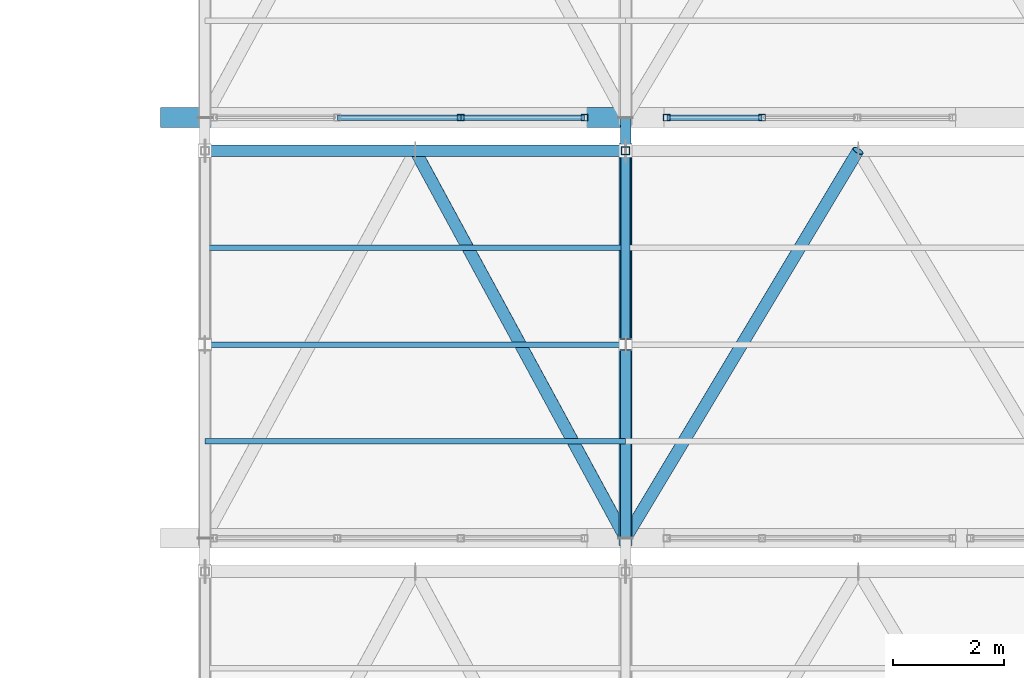
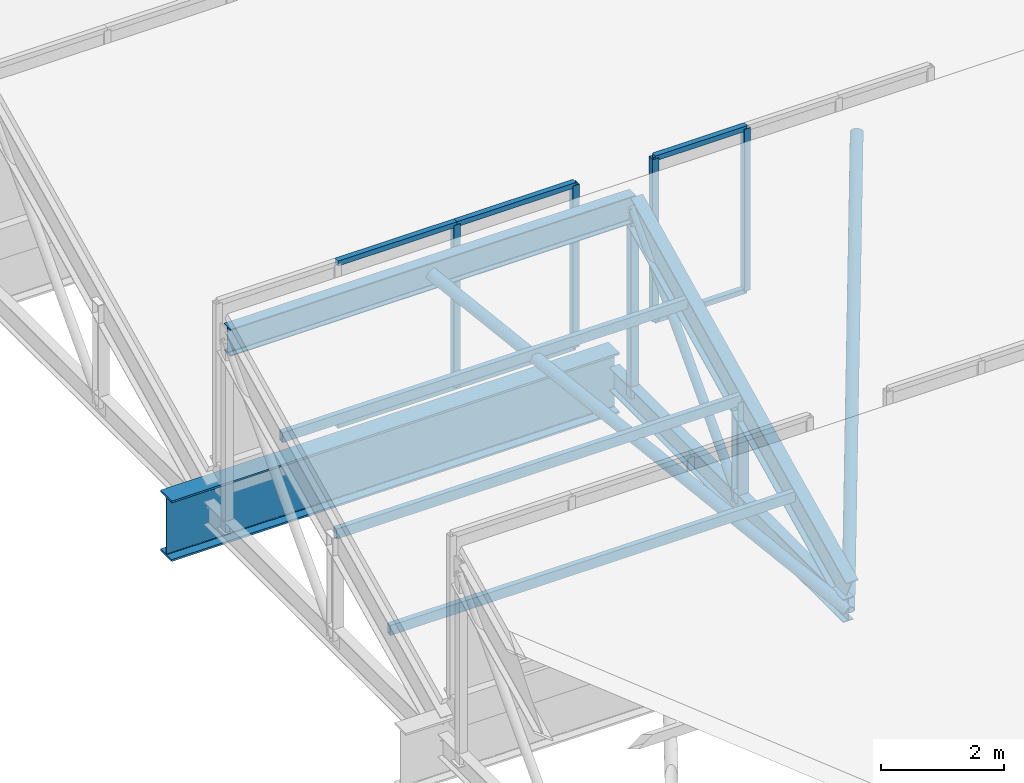
# One storey, part 14 of 57: 21 members, 1 beam, 2 elements without a shape of their own.
"""IFC4 building model written with IfcOpenShell, lengths in metres."""

import ifcopenshell
import ifcopenshell.guid

model = None  # the IFC model being written
_history = None  # IfcOwnerHistory: only IFC2X3 demands one
_inside = {}  # id of a spatial element -> (the spatial element, [elements in it])
_under = {}  # id of a project, library or spatial element -> (it, [spatial elements below it])
_declared = {}  # id of a project -> (the project, [libraries it declares])
_typed = {}  # id of a type object -> (the type object, [elements of that type])
_made_of = {}  # id of a material, layer set ... -> (it, [elements and type objects made of it])


def new_model(schema):
    """Start an empty IFC model of exactly this schema.

    Asked for "IFC4X3", IfcOpenShell would pick the latest addendum, in which some entities
    have other attributes; the version numbers below select the first issue.
    IFC2X3 requires an IfcOwnerHistory on every rooted entity: one is made here for all.
    """
    global model, _history
    if schema == "IFC4X3":
        model = ifcopenshell.file(schema_version=(4, 3, 0, 0))
    else:
        model = ifcopenshell.file(schema=schema)
    _inside.clear()
    _under.clear()
    _declared.clear()
    _typed.clear()
    _made_of.clear()
    _history = None
    if model.schema == "IFC2X3":
        org = make("IfcOrganization", Name="unknown")
        user = make(
            "IfcPersonAndOrganization",
            ThePerson=make("IfcPerson", FamilyName="unknown"),
            TheOrganization=org,
        )
        app = make(
            "IfcApplication",
            ApplicationDeveloper=org,
            Version="unknown",
            ApplicationFullName="unknown",
            ApplicationIdentifier="unknown",
        )
        _history = make(
            "IfcOwnerHistory",
            OwningUser=user,
            OwningApplication=app,
            ChangeAction="ADDED",
            CreationDate=0,
        )
    return model


def make(cls, **values):
    """One entity of the class cls with the attributes given. An attribute that is None is left unset."""
    return model.create_entity(
        cls, **{name: value for name, value in values.items() if value is not None}
    )


def rooted(cls, **values):
    """An entity with a GlobalId (a new one), such as an element, a storey or a relation."""
    return make(cls, GlobalId=ifcopenshell.guid.new(), OwnerHistory=_history, **values)


def si_unit(unit_type, name, prefix=None):
    """IfcSIUnit, for example si_unit("LENGTHUNIT", "METRE", prefix="MILLI")."""
    return make("IfcSIUnit", UnitType=unit_type, Prefix=prefix, Name=name)


def assignment(units):
    """IfcUnitAssignment: the units of a project."""
    return None if units is None else make("IfcUnitAssignment", Units=units)


def point(xyz):
    """IfcCartesianPoint."""
    return None if xyz is None else make("IfcCartesianPoint", Coordinates=xyz)


def direction(xyz):
    """IfcDirection."""
    return None if xyz is None else make("IfcDirection", DirectionRatios=xyz)


def frame(location, z_axis=None, x_axis=None):
    """IfcAxis2Placement3D, a coordinate frame: its origin and axes. An axis left out is left unset."""
    return make(
        "IfcAxis2Placement3D",
        Location=point(location),
        Axis=direction(z_axis),
        RefDirection=direction(x_axis),
    )


def frame_2d(location, x_axis=None):
    """IfcAxis2Placement2D, a coordinate frame in the plane: its origin and x axis."""
    return make(
        "IfcAxis2Placement2D", Location=point(location), RefDirection=direction(x_axis)
    )


def origin():
    """The frame at (0, 0, 0) with its axes left unset."""
    return frame((0.0, 0.0, 0.0))


def origin_2d():
    """The frame at (0, 0) in the plane with its x axis left unset."""
    return frame_2d((0.0, 0.0))


def place(relative_to, where):
    """IfcLocalPlacement: puts the frame where relative to a parent placement (None: the world)."""
    return make(
        "IfcLocalPlacement", PlacementRelTo=relative_to, RelativePlacement=where
    )


def context(
    kind, dimensions, precision=None, world=None, true_north=None, identifier=None
):
    """IfcGeometricRepresentationContext, for example the 3D "Model" context."""
    return make(
        "IfcGeometricRepresentationContext",
        ContextIdentifier=identifier,
        ContextType=kind,
        CoordinateSpaceDimension=dimensions,
        Precision=precision,
        WorldCoordinateSystem=world,
        TrueNorth=true_north,
    )


def subcontext(parent, identifier, kind, view, scale=None):
    """IfcGeometricRepresentationSubContext, for example "Body" below "Model"."""
    return make(
        "IfcGeometricRepresentationSubContext",
        ContextIdentifier=identifier,
        ContextType=kind,
        ParentContext=parent,
        TargetScale=scale,
        TargetView=view,
    )


def project(units=None, contexts=None):
    """IfcProject with its units and contexts."""
    return rooted(
        "IfcProject",
        Name="project",
        RepresentationContexts=contexts,
        UnitsInContext=assignment(units),
    )


def spatial(cls, under=None, at=None, **own):
    """A site, building, storey or space (cls), placed at a placement, below another one or the project."""
    s = rooted(cls, ObjectPlacement=at, **own)
    if under is not None:
        _under.setdefault(under.id(), (under, []))[1].append(s)
    return s


def profile(cls, at=None, kind="AREA", **sizes):
    """A parametric profile (cls). Its sizes go by their IFC names, for example OverallWidth=200.0."""
    return make(cls, ProfileType=kind, Position=at, **sizes)


def hollow_rectangle(**sizes):
    """IfcRectangleHollowProfileDef."""
    return profile("IfcRectangleHollowProfileDef", **sizes)


def hollow_circle(**sizes):
    """IfcCircleHollowProfileDef."""
    return profile("IfcCircleHollowProfileDef", **sizes)


def i_section(**sizes):
    """IfcIShapeProfileDef."""
    return profile("IfcIShapeProfileDef", **sizes)


def extrude(swept, where, along, depth):
    """IfcExtrudedAreaSolid: the profile swept, set in the frame where, extruded along a direction by depth."""
    return make(
        "IfcExtrudedAreaSolid",
        SweptArea=swept,
        Position=where,
        ExtrudedDirection=direction(along),
        Depth=depth,
    )


def shape(context_of_items, identifier, shape_type, items):
    """IfcShapeRepresentation: the items that make up one representation, for example the "Body"."""
    return make(
        "IfcShapeRepresentation",
        ContextOfItems=context_of_items,
        RepresentationIdentifier=identifier,
        RepresentationType=shape_type,
        Items=items,
    )


def material(Name=None, Category=None):
    """IfcMaterial."""
    return make("IfcMaterial", Name=Name, Category=Category)


def material_profile(
    of_material, cross_section, Name=None, Category=None, Priority=None
):
    """IfcMaterialProfile: a cross section and its material."""
    return make(
        "IfcMaterialProfile",
        Name=Name,
        Material=of_material,
        Profile=cross_section,
        Priority=Priority,
        Category=Category,
    )


def profile_set(profiles, Name=None, composite=None):
    """IfcMaterialProfileSet."""
    return make(
        "IfcMaterialProfileSet",
        Name=Name,
        MaterialProfiles=profiles,
        CompositeProfile=composite,
    )


def made_of(thing, what):
    """Note that an element or type object is made of a material, layer set ...; save() writes the relation."""
    if what is not None:
        _made_of.setdefault(what.id(), (what, []))[1].append(thing)
    return thing


def type_object(cls, material=None, **own):
    """A type object (cls), such as IfcWallType, which elements share."""
    return made_of(rooted(cls, **own), material)


def element(
    cls,
    number,
    at=None,
    inside=None,
    cuts=None,
    type_object=None,
    material=None,
    context=None,
    identifier="Body",
    shape_type=None,
    held_by="IfcProductDefinitionShape",
    body=None,
    shapes=None,
    **own,
):
    """One element of the class cls, such as IfcWall. Its Tag is "e" and its number.

    at: its placement. inside: the storey or other place that contains it. cuts: it is an
    opening in that element (IfcRelVoidsElement). A single representation is given by context,
    identifier, shape_type and body (its items); several are given by shapes. held_by: the class
    of the entity that holds the representations. save() writes the other relations.
    """
    e = rooted(cls, Tag="e%d" % number, ObjectPlacement=at, **own)
    if body is not None:
        shapes = [shape(context, identifier, shape_type, body)]
    if shapes is not None:
        e.Representation = make(held_by, Representations=shapes)
    if inside is not None:
        _inside.setdefault(inside.id(), (inside, []))[1].append(e)
    if cuts is not None:
        rooted(
            "IfcRelVoidsElement", RelatingBuildingElement=cuts, RelatedOpeningElement=e
        )
    if type_object is not None:
        _typed.setdefault(type_object.id(), (type_object, []))[1].append(e)
    return made_of(e, material)


def aggregate(whole, parts):
    """IfcRelAggregates: a whole, such as a stair, and the parts it consists of."""
    return rooted("IfcRelAggregates", RelatingObject=whole, RelatedObjects=parts)


def save(model, path):
    """Write the relations noted so far, then the file.

    IfcRelAggregates (storeys below a building ...), IfcRelContainedInSpatialStructure (elements
    in a storey), IfcRelDefinesByType, IfcRelAssociatesMaterial and IfcRelDeclares: one each for
    every whole, place, type object, material and project.
    """
    for whole, parts in _under.values():
        aggregate(whole, parts)
    for where, things in _inside.values():
        rooted(
            "IfcRelContainedInSpatialStructure",
            RelatedElements=things,
            RelatingStructure=where,
        )
    for kind, things in _typed.values():
        rooted("IfcRelDefinesByType", RelatedObjects=things, RelatingType=kind)
    for what, things in _made_of.values():
        rooted("IfcRelAssociatesMaterial", RelatedObjects=things, RelatingMaterial=what)
    for by, libraries in _declared.values():
        rooted("IfcRelDeclares", RelatingContext=by, RelatedDefinitions=libraries)
    model.write(path)


model = new_model("IFC4")

# Units and contexts
model_context = context("Model", 3, precision=1e-05, world=origin(), true_north=direction((0.0, 1.0)))
body_context = subcontext(model_context, "Body", "Model", "MODEL_VIEW")
ifc_project = project(units=[si_unit("LENGTHUNIT", "METRE"), si_unit("AREAUNIT", "SQUARE_METRE"), si_unit("VOLUMEUNIT", "CUBIC_METRE"), si_unit("PLANEANGLEUNIT", "RADIAN"), si_unit("MASSUNIT", "GRAM", prefix="KILO")], contexts=[model_context])

# Site, building, storey
site_placement = place(None, origin())
site = spatial("IfcSite", under=ifc_project, at=site_placement, CompositionType="ELEMENT")
building_placement = place(site_placement, origin())
building = spatial("IfcBuilding", under=site, at=building_placement, Name="Zuvorla Pavilion Media Centre", CompositionType="ELEMENT")
storey_placement = place(building_placement, frame((0.0, 0.0, 18.0)))
storey = spatial("IfcBuildingStorey", under=building, at=storey_placement, Name="L04", CompositionType="ELEMENT", Elevation=18.0)

# Beam
ifc_material_1 = material(Name="Steel S355", Category="steel")
ifc_material_profile_1 = material_profile(ifc_material_1, i_section(OverallWidth=0.360107421875, OverallDepth=1.199951171875, WebThickness=0.02001953125, FlangeThickness=0.0380859375, FilletRadius=0.02392578125, at=origin_2d()), Name="PG 1200x360x38")
ifc_profile_set_1 = profile_set([ifc_material_profile_1], Name="Steel S355")
beam_type = type_object("IfcBeamType", Name="BM-PG1200", PredefinedType="BEAM", material=ifc_profile_set_1)
beam_placement = place(storey_placement, frame((117.199951171875, 36.39990234375, -0.887939453125), z_axis=(1.0, 0.0, 0.0), x_axis=(0.0, 1.0, 0.0)))
element("IfcBeam", 1, at=beam_placement, inside=storey, type_object=beam_type, Name="L04 beam B01 1826", PredefinedType="BEAM", context=body_context, shape_type="SweptSolid", body=[
    extrude(i_section(OverallWidth=0.360107421875, OverallDepth=1.199951171875, WebThickness=0.02001953125, FlangeThickness=0.0380859375, FilletRadius=0.02392578125, at=origin_2d()), origin(), (0.0, 0.0, 1.0), 8.400146484375),
])

# Curtain wall, members
ifc_material_2 = material(Name="Unitised anodised aluminium and solar glass curtain wall", Category="aluminium")
curtain_wall_type_1 = type_object("IfcCurtainWallType", Name="CW-SYS-90", PredefinedType="USERDEFINED", material=ifc_material_2)
curtain_wall_1_placement = place(storey_placement, origin())
curtain_wall_1 = element("IfcCurtainWall", 2, at=curtain_wall_1_placement, inside=storey, type_object=curtain_wall_type_1, Name="L04 curtain wall CW90 240", ObjectType="CURTAIN WALL", PredefinedType="USERDEFINED")
ifc_material_3 = material(Name="Anodised aluminium 6063-T6", Category="aluminium")
ifc_material_profile_2 = material_profile(ifc_material_3, hollow_rectangle(XDim=0.1201171875, YDim=0.1201171875, WallThickness=0.0048828125, at=origin_2d()), Name="ALU MULL 120x120")
ifc_profile_set_2 = profile_set([ifc_material_profile_2], Name="Anodised aluminium 6063-T6")
member_type_1 = type_object("IfcMemberType", Name="CW-MULL-120", PredefinedType="MULLION", material=ifc_profile_set_2)
member_1_placement = place(storey_placement, frame((122.623779296875, 36.39990234375, 0.0), z_axis=(0.0, 0.0, 1.0), x_axis=(1.0, 0.0, 0.0)))
member_1 = element("IfcMember", 3, at=member_1_placement, type_object=member_type_1, Name="CW90 mullion 3", PredefinedType="MULLION", context=body_context, shape_type="SweptSolid", body=[
    extrude(hollow_rectangle(XDim=0.1201171875, YDim=0.1201171875, WallThickness=0.0048828125, at=origin_2d()), origin(), (0.0, 0.0, 1.0), 3.219970703125),
])
member_2_placement = place(storey_placement, frame((124.855712890625, 36.39990234375, 0.0), z_axis=(0.0, 0.0, 1.0), x_axis=(1.0, 0.0, 0.0)))
member_2 = element("IfcMember", 4, at=member_2_placement, type_object=member_type_1, Name="CW90 mullion 4", PredefinedType="MULLION", context=body_context, shape_type="SweptSolid", body=[
    extrude(hollow_rectangle(XDim=0.1201171875, YDim=0.1201171875, WallThickness=0.0048828125, at=origin_2d()), origin(), (0.0, 0.0, 1.0), 3.219970703125),
])

curtain_wall_type_2 = type_object("IfcCurtainWallType", Name="CW-SYS-91", PredefinedType="USERDEFINED", material=ifc_material_2)
curtain_wall_2_placement = place(storey_placement, origin())
curtain_wall_2 = element("IfcCurtainWall", 5, at=curtain_wall_2_placement, inside=storey, type_object=curtain_wall_type_2, Name="L04 curtain wall CW91 241", ObjectType="CURTAIN WALL", PredefinedType="USERDEFINED")
member_3_placement = place(storey_placement, frame((126.34423828125, 36.39990234375, 0.0), z_axis=(0.0, 0.0, 1.0), x_axis=(1.0, 0.0, 0.0)))
member_3 = element("IfcMember", 6, at=member_3_placement, type_object=member_type_1, Name="CW91 mullion 1", PredefinedType="MULLION", context=body_context, shape_type="SweptSolid", body=[
    extrude(hollow_rectangle(XDim=0.1201171875, YDim=0.1201171875, WallThickness=0.0048828125, at=origin_2d()), origin(), (0.0, 0.0, 1.0), 3.219970703125),
])
member_4_placement = place(storey_placement, frame((128.065185546875, 36.39990234375, 0.0), z_axis=(0.0, 0.0, 1.0), x_axis=(1.0, 0.0, 0.0)))
member_4 = element("IfcMember", 7, at=member_4_placement, type_object=member_type_1, Name="CW91 mullion 2", PredefinedType="MULLION", context=body_context, shape_type="SweptSolid", body=[
    extrude(hollow_rectangle(XDim=0.1201171875, YDim=0.1201171875, WallThickness=0.0048828125, at=origin_2d()), origin(), (0.0, 0.0, 1.0), 3.219970703125),
])

# Member
ifc_material_profile_3 = material_profile(ifc_material_3, hollow_rectangle(XDim=0.10009765625, YDim=0.10009765625, WallThickness=0.00439453125, at=origin_2d()), Name="ALU TRAN 100x100")
ifc_profile_set_3 = profile_set([ifc_material_profile_3], Name="Anodised aluminium 6063-T6")
member_type_2 = type_object("IfcMemberType", Name="CW-TRAN-100", PredefinedType="USERDEFINED", material=ifc_profile_set_3)
member_5_placement = place(storey_placement, frame((120.391845703125, 36.39990234375, 0.0), z_axis=(1.0, 0.0, 0.0), x_axis=(0.0, 1.0, 0.0)))
member_5 = element("IfcMember", 8, at=member_5_placement, type_object=member_type_2, Name="CW90 transom 2.1", ObjectType="TRANSOM", PredefinedType="USERDEFINED", context=body_context, shape_type="SweptSolid", body=[
    extrude(hollow_rectangle(XDim=0.10009765625, YDim=0.10009765625, WallThickness=0.00439453125, at=origin_2d()), origin(), (0.0, 0.0, 1.0), 2.23193359375),
])

member_6_placement = place(storey_placement, frame((120.391845703125, 36.39990234375, 3.219970703125), z_axis=(1.0, 0.0, 0.0), x_axis=(0.0, 1.0, 0.0)))
member_6 = element("IfcMember", 9, at=member_6_placement, type_object=member_type_2, Name="CW90 transom 2.2", ObjectType="TRANSOM", PredefinedType="USERDEFINED", context=body_context, shape_type="SweptSolid", body=[
    extrude(hollow_rectangle(XDim=0.10009765625, YDim=0.10009765625, WallThickness=0.00439453125, at=origin_2d()), origin(), (0.0, 0.0, 1.0), 2.23193359375),
])

member_7_placement = place(storey_placement, frame((122.623779296875, 36.39990234375, 0.0), z_axis=(1.0, 0.0, 0.0), x_axis=(0.0, 1.0, 0.0)))
member_7 = element("IfcMember", 10, at=member_7_placement, type_object=member_type_2, Name="CW90 transom 3.1", ObjectType="TRANSOM", PredefinedType="USERDEFINED", context=body_context, shape_type="SweptSolid", body=[
    extrude(hollow_rectangle(XDim=0.10009765625, YDim=0.10009765625, WallThickness=0.00439453125, at=origin_2d()), origin(), (0.0, 0.0, 1.0), 2.23193359375),
])

member_8_placement = place(storey_placement, frame((122.623779296875, 36.39990234375, 3.219970703125), z_axis=(1.0, 0.0, 0.0), x_axis=(0.0, 1.0, 0.0)))
member_8 = element("IfcMember", 11, at=member_8_placement, type_object=member_type_2, Name="CW90 transom 3.2", ObjectType="TRANSOM", PredefinedType="USERDEFINED", context=body_context, shape_type="SweptSolid", body=[
    extrude(hollow_rectangle(XDim=0.10009765625, YDim=0.10009765625, WallThickness=0.00439453125, at=origin_2d()), origin(), (0.0, 0.0, 1.0), 2.23193359375),
])

aggregate(curtain_wall_1, [member_1, member_2, member_5, member_6, member_7, member_8])

member_9_placement = place(storey_placement, frame((126.34423828125, 36.39990234375, 0.0), z_axis=(1.0, 0.0, 0.0), x_axis=(0.0, 1.0, 0.0)))
member_9 = element("IfcMember", 12, at=member_9_placement, type_object=member_type_2, Name="CW91 transom 1.1", ObjectType="TRANSOM", PredefinedType="USERDEFINED", context=body_context, shape_type="SweptSolid", body=[
    extrude(hollow_rectangle(XDim=0.10009765625, YDim=0.10009765625, WallThickness=0.00439453125, at=origin_2d()), origin(), (0.0, 0.0, 1.0), 1.720947265625),
])

member_10_placement = place(storey_placement, frame((126.34423828125, 36.39990234375, 3.219970703125), z_axis=(1.0, 0.0, 0.0), x_axis=(0.0, 1.0, 0.0)))
member_10 = element("IfcMember", 13, at=member_10_placement, type_object=member_type_2, Name="CW91 transom 1.2", ObjectType="TRANSOM", PredefinedType="USERDEFINED", context=body_context, shape_type="SweptSolid", body=[
    extrude(hollow_rectangle(XDim=0.10009765625, YDim=0.10009765625, WallThickness=0.00439453125, at=origin_2d()), origin(), (0.0, 0.0, 1.0), 1.720947265625),
])

aggregate(curtain_wall_2, [member_3, member_4, member_9, member_10])

# Members
ifc_material_profile_4 = material_profile(ifc_material_1, hollow_circle(Radius=0.084228515625, WallThickness=0.008056640625, at=origin_2d()), Name="CHS 168.3x8")
ifc_profile_set_4 = profile_set([ifc_material_profile_4], Name="Steel S355")
member_type_3 = type_object("IfcMemberType", Name="MEM-BRC-CHS168", PredefinedType="BRACE", material=ifc_profile_set_4)
member_11_placement = place(storey_placement, frame((125.60009765625, 32.300048828125, -0.8798828125), z_axis=(0.0, 0.681156069412, 0.732138244529), x_axis=(-1.0, 0.0, 0.0)))
element("IfcMember", 14, at=member_11_placement, inside=storey, type_object=member_type_3, Name="L04 diagonal brace TB03 686", PredefinedType="BRACE", context=body_context, shape_type="SweptSolid", body=[
    extrude(hollow_circle(Radius=0.084228515625, WallThickness=0.008056640625, at=origin_2d()), origin(), (0.0, 0.0, 1.0), 5.138427734375),
])
ifc_material_profile_5 = material_profile(ifc_material_1, hollow_circle(Radius=0.109619140625, WallThickness=0.010009765625, at=origin_2d()), Name="CHS 219.1x10")
ifc_profile_set_5 = profile_set([ifc_material_profile_5], Name="Steel S355")
member_type_4 = type_object("IfcMemberType", Name="MEM-BRC-CHS219", PredefinedType="BRACE", material=ifc_profile_set_5)
member_12_placement = place(storey_placement, frame((121.800048828125, 35.800048828125, 2.882080078125), z_axis=(0.431398513672, -0.79467126142, -0.427074827958), x_axis=(0.878850861224, 0.477096597899, 0.0)))
element("IfcMember", 15, at=member_12_placement, inside=storey, type_object=member_type_4, Name="L04 diagonal brace TB02 710", PredefinedType="BRACE", context=body_context, shape_type="SweptSolid", body=[
    extrude(hollow_circle(Radius=0.109619140625, WallThickness=0.010009765625, at=origin_2d()), origin(), (0.0, 0.0, 1.0), 8.80859375),
])
member_13_placement = place(storey_placement, frame((125.60009765625, 28.800048828125, -0.8798828125), z_axis=(0.46726169892, 0.778778552081, 0.418533716135), x_axis=(-0.857495564561, 0.514491357322, 0.0)))
element("IfcMember", 16, at=member_13_placement, inside=storey, type_object=member_type_4, Name="L04 diagonal brace TB02 715", PredefinedType="BRACE", context=body_context, shape_type="SweptSolid", body=[
    extrude(hollow_circle(Radius=0.109619140625, WallThickness=0.010009765625, at=origin_2d()), origin(), (0.0, 0.0, 1.0), 8.988525390625),
])
ifc_material_profile_6 = material_profile(ifc_material_1, i_section(OverallWidth=0.19140625, OverallDepth=0.4599609375, WebThickness=0.010009765625, FlangeThickness=0.01611328125, FilletRadius=0.01025390625, at=origin_2d()), Name="UB 457x191x82")
ifc_profile_set_6 = profile_set([ifc_material_profile_6], Name="Steel S355")
member_type_5 = type_object("IfcMemberType", Name="MEM-CHD-UB457", PredefinedType="CHORD", material=ifc_profile_set_6)
member_14_placement = place(storey_placement, frame((125.60009765625, 28.800048828125, -0.8798828125), z_axis=(0.0, 1.0, 0.0), x_axis=(-1.0, 0.0, 0.0)))
element("IfcMember", 17, at=member_14_placement, inside=storey, type_object=member_type_5, Name="L04 chord TC03 683", PredefinedType="CHORD", context=body_context, shape_type="SweptSolid", body=[
    extrude(i_section(OverallWidth=0.19140625, OverallDepth=0.4599609375, WebThickness=0.010009765625, FlangeThickness=0.01611328125, FilletRadius=0.01025390625, at=origin_2d()), origin(), (0.0, 0.0, 1.0), 7.599853515625),
])
ifc_material_profile_7 = material_profile(ifc_material_1, i_section(OverallWidth=0.2099609375, OverallDepth=0.53662109375, WebThickness=0.0107421875, FlangeThickness=0.017333984375, FilletRadius=0.0126953125, at=origin_2d()), Name="UB 533x210x101")
ifc_profile_set_7 = profile_set([ifc_material_profile_7], Name="Steel S355")
member_type_6 = type_object("IfcMemberType", Name="MEM-CHD-UB533", PredefinedType="CHORD", material=ifc_profile_set_7)
member_15_placement = place(storey_placement, frame((118.0, 35.800048828125, 2.882080078125), z_axis=(1.0, 0.0, 0.0), x_axis=(0.0, 1.0, 0.0)))
element("IfcMember", 18, at=member_15_placement, inside=storey, type_object=member_type_6, Name="L04 chord TC02 708", PredefinedType="CHORD", context=body_context, shape_type="SweptSolid", body=[
    extrude(i_section(OverallWidth=0.2099609375, OverallDepth=0.53662109375, WebThickness=0.0107421875, FlangeThickness=0.017333984375, FilletRadius=0.0126953125, at=origin_2d()), origin(), (0.0, 0.0, 1.0), 7.60009765625),
])
ifc_material_profile_8 = material_profile(ifc_material_1, i_section(OverallWidth=0.22900390625, OverallDepth=0.6123046875, WebThickness=0.011962890625, FlangeThickness=0.01953125, FilletRadius=0.0126953125, at=origin_2d()), Name="UB 610x229x125")
ifc_profile_set_8 = profile_set([ifc_material_profile_8], Name="Steel S355")
member_type_7 = type_object("IfcMemberType", Name="MEM-CHD-UB610", PredefinedType="CHORD", material=ifc_profile_set_8)
member_16_placement = place(storey_placement, frame((125.60009765625, 28.800048828125, -0.517822265625), z_axis=(0.0, 0.899513090263, 0.436893809117), x_axis=(-1.0, 0.0, 0.0)))
element("IfcMember", 19, at=member_16_placement, inside=storey, type_object=member_type_7, Name="L04 chord TC01 684", PredefinedType="CHORD", context=body_context, shape_type="SweptSolid", body=[
    extrude(i_section(OverallWidth=0.22900390625, OverallDepth=0.6123046875, WebThickness=0.011962890625, FlangeThickness=0.01953125, FilletRadius=0.0126953125, at=origin_2d()), origin(), (0.0, 0.0, 1.0), 7.781982421875),
])
ifc_material_profile_9 = material_profile(ifc_material_1, hollow_rectangle(XDim=0.10009765625, YDim=0.199951171875, WallThickness=0.008056640625, at=origin_2d()), Name="RHS 200x100x8")
ifc_profile_set_9 = profile_set([ifc_material_profile_9], Name="Steel S355")
member_type_8 = type_object("IfcMemberType", Name="MEM-PUR-RHS200", PredefinedType="PURLIN", material=ifc_profile_set_9)
for number, where, z_axis, x_axis, name in (
    (20, (118.0, 30.550048828125, 0.33203125), (1.0, 0.0, 0.0), (0.0, 1.0, 0.0), "L04 purlin PR01 711"),
    (21, (118.0, 32.300048828125, 1.18212890625), (1.0, 0.0, 0.0), (0.0, 1.0, 0.0), "L04 purlin PR01 712"),
    (22, (118.0, 34.050048828125, 2.031982421875), (1.0, 0.0, 0.0), (0.0, 1.0, 0.0), "L04 purlin PR01 713"),
):
    element("IfcMember", number, at=place(storey_placement, frame(where, z_axis=z_axis, x_axis=x_axis)), inside=storey, type_object=member_type_8, Name=name, PredefinedType="PURLIN", context=body_context, shape_type="SweptSolid", body=[
        extrude(hollow_rectangle(XDim=0.10009765625, YDim=0.199951171875, WallThickness=0.008056640625, at=origin_2d()), origin(), (0.0, 0.0, 1.0), 7.60009765625),
    ])
ifc_material_profile_10 = material_profile(ifc_material_1, hollow_rectangle(XDim=0.14990234375, YDim=0.14990234375, WallThickness=0.008056640625, at=origin_2d()), Name="SHS 150x150x8")
ifc_profile_set_10 = profile_set([ifc_material_profile_10], Name="Steel S355")
member_type_9 = type_object("IfcMemberType", Name="MEM-STR-SHS150", PredefinedType="STRUT", material=ifc_profile_set_10)
member_17_placement = place(storey_placement, frame((125.60009765625, 35.800048828125, -0.8798828125), z_axis=(0.0, 0.0, 1.0), x_axis=(1.0, 0.0, 0.0)))
element("IfcMember", 23, at=member_17_placement, inside=storey, type_object=member_type_9, Name="L04 vertical strut TS01 685", PredefinedType="STRUT", context=body_context, shape_type="SweptSolid", body=[
    extrude(hollow_rectangle(XDim=0.14990234375, YDim=0.14990234375, WallThickness=0.008056640625, at=origin_2d()), origin(), (0.0, 0.0, 1.0), 3.761962890625),
])
ifc_material_profile_11 = material_profile(ifc_material_1, i_section(OverallWidth=0.205810546875, OverallDepth=0.209716796875, WebThickness=0.009521484375, FlangeThickness=0.01416015625, FilletRadius=0.01025390625, at=origin_2d()), Name="UC 203x203x60")
ifc_profile_set_11 = profile_set([ifc_material_profile_11], Name="Steel S355")
member_type_10 = type_object("IfcMemberType", Name="MEM-STR-UC203", PredefinedType="STRUT", material=ifc_profile_set_11)
member_18_placement = place(storey_placement, frame((125.60009765625, 32.300048828125, -0.8798828125), z_axis=(0.0, 0.0, 1.0), x_axis=(1.0, 0.0, 0.0)))
element("IfcMember", 24, at=member_18_placement, inside=storey, type_object=member_type_10, Name="L04 vertical strut TS02 687", PredefinedType="STRUT", context=body_context, shape_type="SweptSolid", body=[
    extrude(i_section(OverallWidth=0.205810546875, OverallDepth=0.209716796875, WebThickness=0.009521484375, FlangeThickness=0.01416015625, FilletRadius=0.01025390625, at=origin_2d()), origin(), (0.0, 0.0, 1.0), 2.06201171875),
])

save(model, "model.ifc")
